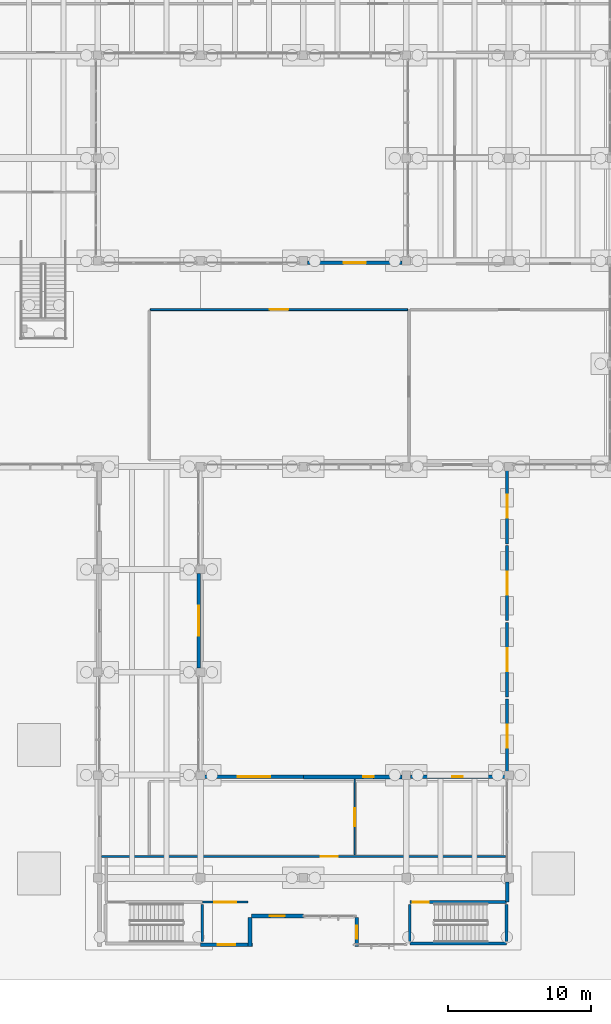
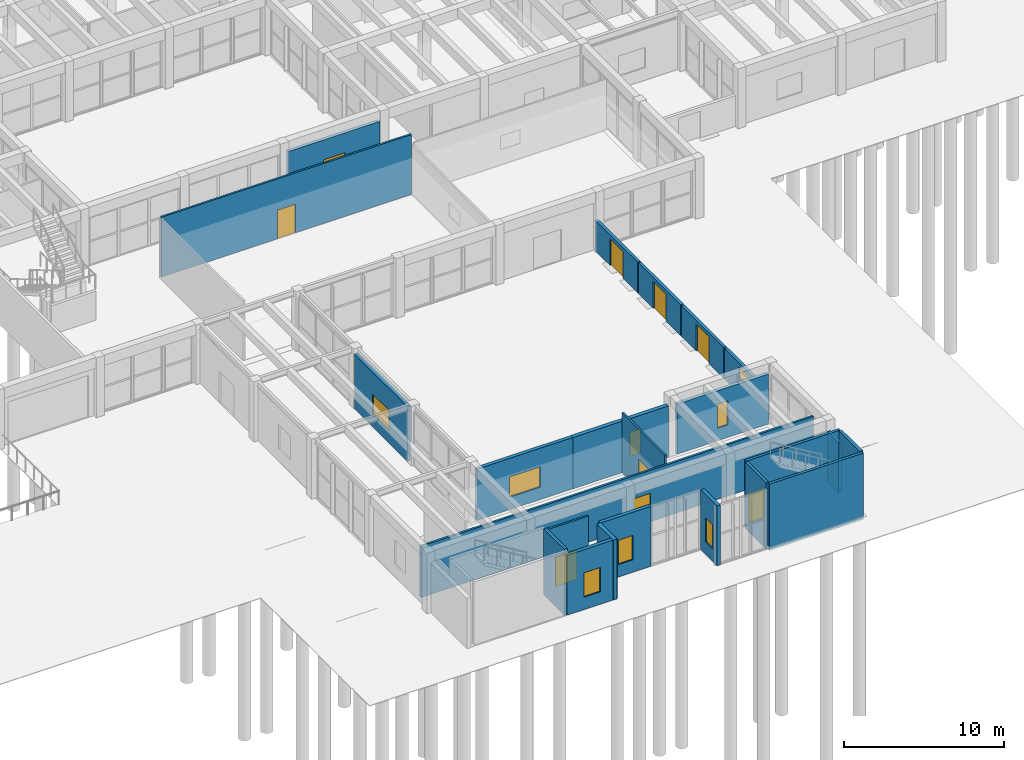
# One storey, part 119 of 155: 23 walls, 10 doors, 7 windows, 17 openings.
"""IFC4 building model written with IfcOpenShell, lengths in metres."""

from ifc_helpers import new_model, si_unit, direction, frame, frame_2d, origin, place, context, subcontext, project, spatial, rectangle, extrude, material, layer, layer_set, type_object, element, fill, save


model = new_model("IFC4")

# Units and contexts
model_context = context("Model", 3, precision=1e-05, world=origin(), true_north=direction((0.0, 1.0)))
body_context = subcontext(model_context, "Body", "Model", "MODEL_VIEW")
ifc_project = project(units=[si_unit("LENGTHUNIT", "METRE"), si_unit("AREAUNIT", "SQUARE_METRE"), si_unit("VOLUMEUNIT", "CUBIC_METRE"), si_unit("PLANEANGLEUNIT", "RADIAN"), si_unit("MASSUNIT", "GRAM", prefix="KILO")], contexts=[model_context])

# Site, building, storey
site_placement = place(None, origin())
site = spatial("IfcSite", under=ifc_project, at=site_placement, CompositionType="ELEMENT")
building_placement = place(site_placement, origin())
building = spatial("IfcBuilding", under=site, at=building_placement, Name="Bramvelor Terrace Health Centre", CompositionType="ELEMENT")
storey_placement = place(building_placement, origin())
storey = spatial("IfcBuildingStorey", under=building, at=storey_placement, Name="L01", CompositionType="ELEMENT", Elevation=0.0)

# Wall, opening, door
ifc_material_1 = material(Name="Acoustic clinical partition board", Category="gypsum")
ifc_layer_1 = layer(ifc_material_1, 0.1298828125)
ifc_layer_set_1 = layer_set([ifc_layer_1], Name="Acoustic clinical partition board")
wall_type_1 = type_object("IfcWallType", Name="WL-CLN-130", PredefinedType="PARTITIONING", material=ifc_layer_set_1)
wall_1_placement = place(storey_placement, frame((75.60009765625, 14.1201171875, 0.0), z_axis=(0.0, 0.0, 1.0), x_axis=(0.0, -1.0, 0.0)))
wall_1 = element("IfcWall", 1, at=wall_1_placement, inside=storey, type_object=wall_type_1, Name="L01 Interior Partition 103", PredefinedType="PARTITIONING", context=body_context, shape_type="SweptSolid", body=[
    extrude(rectangle(XDim=5.325927734375, YDim=0.1298828125, at=frame_2d((2.6630859375, 0.0))), origin(), (0.0, 0.0, 1.0), 4.570068359375),
])
opening_1_placement = place(wall_1_placement, frame((2.03271484375, 0.0, 0.0)))
opening_1 = element("IfcOpeningElement", 2, at=opening_1_placement, cuts=wall_1, Name="Opening ID-C03", PredefinedType="OPENING", context=body_context, shape_type="SweptSolid", body=[
    extrude(rectangle(XDim=1.260009765625, YDim=2.280029296875, at=frame_2d((0.6298828125, 1.14013671875))), frame((0.0, 0.074951171875, 0.0), z_axis=(0.0, -1.0, 0.0), x_axis=(1.0, 0.0, 0.0)), (0.0, 0.0, 1.0), 0.14990234375),
])
ifc_material_2 = material(Name="Solid-core acoustic timber laminate", Category="wood")
door_type_1 = type_object("IfcDoorType", Name="DR-CLN-03", OperationType="NOTDEFINED", PredefinedType="DOOR", material=ifc_material_2)
door_1_placement = place(opening_1_placement, origin())
door_1 = element("IfcDoor", 3, at=door_1_placement, inside=storey, type_object=door_type_1, Name="L01 Hydrotherapy Assessment and Gait Lab Clinical Door", OperationType="SINGLE_SWING_RIGHT", OverallHeight=2.280029296875, OverallWidth=1.260009765625, PredefinedType="DOOR", context=body_context, shape_type="SweptSolid", body=[
    extrude(rectangle(XDim=1.260009765625, YDim=2.280029296875, at=frame_2d((0.6298828125, 1.14013671875))), frame((0.0, 0.02490234375, 0.0), z_axis=(0.0, -1.0, 0.0), x_axis=(1.0, 0.0, 0.0)), (0.0, 0.0, 1.0), 0.050048828125),
])
fill(opening_1, door_1)

ifc_material_3 = material(Name="Fire-rated gypsum and mineral wool", Category="gypsum")
ifc_layer_2 = layer(ifc_material_3, 0.139892578125)
ifc_layer_set_2 = layer_set([ifc_layer_2], Name="Fire-rated gypsum and mineral wool")
wall_type_2 = type_object("IfcWallType", Name="WL-COR-140", PredefinedType="PARTITIONING", material=ifc_layer_set_2)
wall_2_placement = place(storey_placement, frame((61.2919921875, 46.989990234375, 0.0), z_axis=(0.0, 0.0, 1.0), x_axis=(1.0, 0.0, 0.0)))
wall_2 = element("IfcWall", 4, at=wall_2_placement, inside=storey, type_object=wall_type_2, Name="L01 Interior Partition 79", PredefinedType="PARTITIONING", context=body_context, shape_type="SweptSolid", body=[
    extrude(rectangle(XDim=18.008056640625, YDim=0.139892578125, at=frame_2d((9.00390625, 0.0))), origin(), (0.0, 0.0, 1.0), 4.570068359375),
])
opening_2_placement = place(wall_2_placement, frame((8.364013671875, 0.0, 0.0)))
opening_2 = element("IfcOpeningElement", 5, at=opening_2_placement, cuts=wall_2, Name="Opening FD-01", PredefinedType="OPENING", context=body_context, shape_type="SweptSolid", body=[
    extrude(rectangle(XDim=1.280029296875, YDim=2.179931640625, at=frame_2d((0.64013671875, 1.08984375))), frame((0.0, 0.079833984375, 0.0), z_axis=(0.0, -1.0, 0.0), x_axis=(1.0, 0.0, 0.0)), (0.0, 0.0, 1.0), 0.159912109375),
])
ifc_material_4 = material(Name="Fire-rated steel and vision panel", Category="steel")
door_type_2 = type_object("IfcDoorType", Name="DR-FD90-128", OperationType="NOTDEFINED", PredefinedType="DOOR", material=ifc_material_4)
door_2_placement = place(opening_2_placement, origin())
door_2 = element("IfcDoor", 6, at=door_2_placement, inside=storey, type_object=door_type_2, Name="L01 Main Public Waiting and Reception Hall Fire Door", OperationType="SINGLE_SWING_RIGHT", OverallHeight=2.179931640625, OverallWidth=1.280029296875, PredefinedType="DOOR", context=body_context, shape_type="SweptSolid", body=[
    extrude(rectangle(XDim=1.280029296875, YDim=2.179931640625, at=frame_2d((0.64013671875, 1.08984375))), frame((0.0, 0.02490234375, 0.0), z_axis=(0.0, -1.0, 0.0), x_axis=(1.0, 0.0, 0.0)), (0.0, 0.0, 1.0), 0.050048828125),
])
fill(opening_2, door_2)

# Walls
ifc_material_5 = material(Name="Concrete C40/50", Category="concrete")
ifc_layer_3 = layer(ifc_material_5, 0.199951171875)
ifc_layer_set_3 = layer_set([ifc_layer_3], Name="Concrete C40/50")
wall_type_3 = type_object("IfcWallType", Name="WL-CORE-200", PredefinedType="SHEAR", material=ifc_layer_set_3)
wall_3_placement = place(storey_placement, frame((64.925048828125, 2.75, -0.25), z_axis=(0.0, 0.0, 1.0), x_axis=(0.0, 1.0, 0.0)))
element("IfcWall", 7, at=wall_3_placement, inside=storey, type_object=wall_type_3, Name="ST-9 L01 Stair Shaft Wall", PredefinedType="SHEAR", context=body_context, shape_type="SweptSolid", body=[
    extrude(rectangle(XDim=2.60009765625, YDim=0.199951171875, at=frame_2d((1.300048828125, 0.0))), origin(), (0.0, 0.0, 1.0), 5.050048828125),
])
wall_4_placement = place(storey_placement, frame((79.449951171875, 2.60009765625, -0.25), z_axis=(0.0, 0.0, 1.0), x_axis=(1.0, 0.0, 0.0)))
element("IfcWall", 8, at=wall_4_placement, inside=storey, type_object=wall_type_3, Name="ST-10 L01 Stair Shaft Wall", PredefinedType="SHEAR", context=body_context, shape_type="SweptSolid", body=[
    extrude(rectangle(XDim=6.775146484375, YDim=0.199951171875, at=frame_2d((3.3876953125, 0.0))), origin(), (0.0, 0.0, 1.0), 5.050048828125),
])

# Wall, opening, door
wall_5_placement = place(storey_placement, frame((79.449951171875, 5.5, -0.25), z_axis=(0.0, 0.0, 1.0), x_axis=(1.0, 0.0, 0.0)))
wall_5 = element("IfcWall", 9, at=wall_5_placement, inside=storey, type_object=wall_type_3, Name="ST-10 L01 Stair Shaft Wall", PredefinedType="SHEAR", context=body_context, shape_type="SweptSolid", body=[
    extrude(rectangle(XDim=6.775146484375, YDim=0.199951171875, at=frame_2d((3.3876953125, 0.0))), origin(), (0.0, 0.0, 1.0), 5.050048828125),
])
opening_3_placement = place(wall_5_placement, frame((0.219970703125, 0.0, 0.25)))
opening_3 = element("IfcOpeningElement", 10, at=opening_3_placement, cuts=wall_5, Name="Opening FD-06", PredefinedType="OPENING", context=body_context, shape_type="SweptSolid", body=[
    extrude(rectangle(XDim=1.1201171875, YDim=2.139892578125, at=frame_2d((0.56005859375, 1.06982421875))), frame((0.0, 0.10986328125, 0.0), z_axis=(0.0, -1.0, 0.0), x_axis=(1.0, 0.0, 0.0)), (0.0, 0.0, 1.0), 0.219970703125),
])
ifc_material_6 = material(Name="Fire-rated steel and vision panel", Category="steel")
door_type_3 = type_object("IfcDoorType", Name="DR-FD60-112", OperationType="NOTDEFINED", PredefinedType="DOOR", material=ifc_material_6)
door_3_placement = place(opening_3_placement, origin())
door_3 = element("IfcDoor", 11, at=door_3_placement, inside=storey, type_object=door_type_3, Name="ST-10 L01 Exit Stair Fire Door", OperationType="SINGLE_SWING_RIGHT", OverallHeight=2.139892578125, OverallWidth=1.1201171875, PredefinedType="DOOR", context=body_context, shape_type="SweptSolid", body=[
    extrude(rectangle(XDim=1.1201171875, YDim=2.139892578125, at=frame_2d((0.56005859375, 1.06982421875))), frame((0.0, 0.02490234375, 0.0), z_axis=(0.0, -1.0, 0.0), x_axis=(1.0, 0.0, 0.0)), (0.0, 0.0, 1.0), 0.050048828125),
])
fill(opening_3, door_3)

# Walls
for number, where, z_axis, x_axis, name in (
    (12, (79.449951171875, 2.75, -0.25), (0.0, 0.0, 1.0), (0.0, 1.0, 0.0), "ST-10 L01 Stair Shaft Wall"),
    (13, (86.22509765625, 2.75, -0.25), (0.0, 0.0, 1.0), (0.0, 1.0, 0.0), "ST-10 L01 Stair Shaft Wall"),
):
    element("IfcWall", number, at=place(storey_placement, frame(where, z_axis=z_axis, x_axis=x_axis)), inside=storey, type_object=wall_type_3, Name=name, PredefinedType="SHEAR", context=body_context, shape_type="SweptSolid", body=[
        extrude(rectangle(XDim=2.60009765625, YDim=0.199951171875, at=frame_2d((1.300048828125, 0.0))), origin(), (0.0, 0.0, 1.0), 5.050048828125),
    ])

# Wall, opening, window
ifc_material_7 = material(Name="Precast concrete C40/50", Category="concrete")
ifc_layer_4 = layer(ifc_material_7, 0.25)
ifc_layer_set_4 = layer_set([ifc_layer_4], Name="Precast concrete C40/50")
wall_type_4 = type_object("IfcWallType", Name="WL-EXT-RC250", PredefinedType="SOLIDWALL", material=ifc_layer_set_4)
wall_6_placement = place(storey_placement, frame((64.669921875, 28.5048828125, 0.0), z_axis=(0.0, 0.0, 1.0), x_axis=(0.0, -1.0, 0.0)))
wall_6 = element("IfcWall", 14, at=wall_6_placement, inside=storey, type_object=wall_type_4, Name="L01 Exterior Facade Wall 111", PredefinedType="SOLIDWALL", context=body_context, shape_type="SweptSolid", body=[
    extrude(rectangle(XDim=6.60986328125, YDim=0.25, at=frame_2d((3.304931640625, 0.0))), origin(), (0.0, 0.0, 1.0), 4.173583984375),
])
opening_4_placement = place(wall_6_placement, frame((2.2548828125, 0.0, 0.949951171875)))
opening_4 = element("IfcOpeningElement", 15, at=opening_4_placement, cuts=wall_6, Name="Opening WN-46", PredefinedType="OPENING", context=body_context, shape_type="SweptSolid", body=[
    extrude(rectangle(XDim=2.10009765625, YDim=1.550048828125, at=frame_2d((1.050048828125, 0.77490234375))), frame((0.0, 0.135009765625, 0.0), z_axis=(0.0, -1.0, 0.0), x_axis=(1.0, 0.0, 0.0)), (0.0, 0.0, 1.0), 0.27001953125),
])
ifc_material_8 = material(Name="Double low-E laminated glass", Category="glass")
window_type_1 = type_object("IfcWindowType", Name="WIN-EXT-46", PartitioningType="SINGLE_PANEL", PredefinedType="WINDOW", material=ifc_material_8)
window_1_placement = place(opening_4_placement, origin())
window_1 = element("IfcWindow", 16, at=window_1_placement, inside=storey, type_object=window_type_1, Name="L01 Scheduled Clinical Window 46", OverallHeight=1.550048828125, OverallWidth=2.10009765625, PartitioningType="SINGLE_PANEL", PredefinedType="WINDOW", context=body_context, shape_type="SweptSolid", body=[
    extrude(rectangle(XDim=2.10009765625, YDim=1.550048828125, at=frame_2d((1.050048828125, 0.77490234375))), frame((0.0, 0.030029296875, 0.0), z_axis=(0.0, -1.0, 0.0), x_axis=(1.0, 0.0, 0.0)), (0.0, 0.0, 1.0), 0.06005859375),
])
fill(opening_4, window_1)

wall_7_placement = place(storey_placement, frame((65.094970703125, 14.27001953125, 0.0), z_axis=(0.0, 0.0, 1.0), x_axis=(1.0, 0.0, 0.0)))
wall_7 = element("IfcWall", 17, at=wall_7_placement, inside=storey, type_object=wall_type_4, Name="L01 Exterior Facade Wall 113", PredefinedType="SOLIDWALL", context=body_context, shape_type="SweptSolid", body=[
    extrude(rectangle(XDim=6.905029296875, YDim=0.25, at=frame_2d((3.45263671875, 0.0))), origin(), (0.0, 0.0, 1.0), 3.9150390625),
])
opening_5_placement = place(wall_7_placement, frame((2.327392578125, 0.0, 0.949951171875)))
opening_5 = element("IfcOpeningElement", 18, at=opening_5_placement, cuts=wall_7, Name="Opening WN-47", PredefinedType="OPENING", context=body_context, shape_type="SweptSolid", body=[
    extrude(rectangle(XDim=2.25, YDim=1.550048828125, at=frame_2d((1.125, 0.77490234375))), frame((0.0, 0.135009765625, 0.0), z_axis=(0.0, -1.0, 0.0), x_axis=(1.0, 0.0, 0.0)), (0.0, 0.0, 1.0), 0.27001953125),
])
ifc_material_9 = material(Name="Double low-E laminated glass", Category="glass")
window_type_2 = type_object("IfcWindowType", Name="WIN-EXT-47", PartitioningType="SINGLE_PANEL", PredefinedType="WINDOW", material=ifc_material_9)
window_2_placement = place(opening_5_placement, origin())
window_2 = element("IfcWindow", 19, at=window_2_placement, inside=storey, type_object=window_type_2, Name="L01 Scheduled Clinical Window 47", OverallHeight=1.550048828125, OverallWidth=2.25, PartitioningType="SINGLE_PANEL", PredefinedType="WINDOW", context=body_context, shape_type="SweptSolid", body=[
    extrude(rectangle(XDim=2.25, YDim=1.550048828125, at=frame_2d((1.125, 0.77490234375))), frame((0.0, 0.030029296875, 0.0), z_axis=(0.0, -1.0, 0.0), x_axis=(1.0, 0.0, 0.0)), (0.0, 0.0, 1.0), 0.06005859375),
])
fill(opening_5, window_2)

wall_8_placement = place(storey_placement, frame((79.4951171875, 14.27001953125, 0.0), z_axis=(0.0, 0.0, 1.0), x_axis=(1.0, 0.0, 0.0)))
wall_8 = element("IfcWall", 20, at=wall_8_placement, inside=storey, type_object=wall_type_4, Name="L01 Exterior Facade Wall 115", PredefinedType="SOLIDWALL", context=body_context, shape_type="SweptSolid", body=[
    extrude(rectangle(XDim=6.60986328125, YDim=0.25, at=frame_2d((3.304931640625, 0.0))), origin(), (0.0, 0.0, 1.0), 3.81494140625),
])
opening_6_placement = place(wall_8_placement, frame((2.929931640625, 0.0, 0.949951171875)))
opening_6 = element("IfcOpeningElement", 21, at=opening_6_placement, cuts=wall_8, Name="Opening WN-49", PredefinedType="OPENING", context=body_context, shape_type="SweptSolid", body=[
    extrude(rectangle(XDim=0.75, YDim=1.85009765625, at=frame_2d((0.375, 0.925048828125))), frame((0.0, 0.135009765625, 0.0), z_axis=(0.0, -1.0, 0.0), x_axis=(1.0, 0.0, 0.0)), (0.0, 0.0, 1.0), 0.27001953125),
])
ifc_material_10 = material(Name="Double low-E laminated glass", Category="glass")
window_type_3 = type_object("IfcWindowType", Name="WIN-EXT-49", PartitioningType="SINGLE_PANEL", PredefinedType="WINDOW", material=ifc_material_10)
window_3_placement = place(opening_6_placement, origin())
window_3 = element("IfcWindow", 22, at=window_3_placement, inside=storey, type_object=window_type_3, Name="L01 Scheduled Clinical Window 49", OverallHeight=1.85009765625, OverallWidth=0.75, PartitioningType="SINGLE_PANEL", PredefinedType="WINDOW", context=body_context, shape_type="SweptSolid", body=[
    extrude(rectangle(XDim=0.75, YDim=1.85009765625, at=frame_2d((0.375, 0.925048828125))), frame((0.0, 0.030029296875, 0.0), z_axis=(0.0, -1.0, 0.0), x_axis=(1.0, 0.0, 0.0)), (0.0, 0.0, 1.0), 0.06005859375),
])
fill(opening_6, window_3)

# Wall
wall_9_placement = place(storey_placement, frame((86.27001953125, 6.905029296875, 0.0), z_axis=(0.0, 0.0, 1.0), x_axis=(0.0, -1.0, 0.0)))
element("IfcWall", 23, at=wall_9_placement, inside=storey, type_object=wall_type_4, Name="L01 Exterior Facade Wall 117", PredefinedType="SOLIDWALL", context=body_context, shape_type="SweptSolid", body=[
    extrude(rectangle(XDim=1.405029296875, YDim=0.25, at=frame_2d((0.70263671875, 0.0))), origin(), (0.0, 0.0, 1.0), 3.81494140625),
])

# Wall, opening, window
wall_10_placement = place(storey_placement, frame((75.72998046875, 2.3798828125, 0.0), z_axis=(0.0, 0.0, 1.0), x_axis=(0.0, 1.0, 0.0)))
wall_10 = element("IfcWall", 24, at=wall_10_placement, inside=storey, type_object=wall_type_4, Name="L01 Exterior Facade Wall 119", PredefinedType="SOLIDWALL", context=body_context, shape_type="SweptSolid", body=[
    extrude(rectangle(XDim=2.0400390625, YDim=0.25, at=frame_2d((1.02001953125, 0.0))), origin(), (0.0, 0.0, 1.0), 4.570068359375),
])
opening_7_placement = place(wall_10_placement, frame((0.570068359375, 0.0, 0.949951171875)))
opening_7 = element("IfcOpeningElement", 25, at=opening_7_placement, cuts=wall_10, Name="Opening WN-50", PredefinedType="OPENING", context=body_context, shape_type="SweptSolid", body=[
    extrude(rectangle(XDim=0.89990234375, YDim=1.85009765625, at=frame_2d((0.449951171875, 0.925048828125))), frame((0.0, 0.135009765625, 0.0), z_axis=(0.0, -1.0, 0.0), x_axis=(1.0, 0.0, 0.0)), (0.0, 0.0, 1.0), 0.27001953125),
])
ifc_material_11 = material(Name="Double low-E laminated glass", Category="glass")
window_type_4 = type_object("IfcWindowType", Name="WIN-EXT-50", PartitioningType="SINGLE_PANEL", PredefinedType="WINDOW", material=ifc_material_11)
window_4_placement = place(opening_7_placement, origin())
window_4 = element("IfcWindow", 26, at=window_4_placement, inside=storey, type_object=window_type_4, Name="L01 Scheduled Clinical Window 50", OverallHeight=1.85009765625, OverallWidth=0.89990234375, PartitioningType="SINGLE_PANEL", PredefinedType="WINDOW", context=body_context, shape_type="SweptSolid", body=[
    extrude(rectangle(XDim=0.89990234375, YDim=1.85009765625, at=frame_2d((0.449951171875, 0.925048828125))), frame((0.0, 0.030029296875, 0.0), z_axis=(0.0, -1.0, 0.0), x_axis=(1.0, 0.0, 0.0)), (0.0, 0.0, 1.0), 0.06005859375),
])
fill(opening_7, window_4)

wall_11_placement = place(storey_placement, frame((72.0, 4.530029296875, 0.0), z_axis=(0.0, 0.0, 1.0), x_axis=(-1.0, 0.0, 0.0)))
wall_11 = element("IfcWall", 27, at=wall_11_placement, inside=storey, type_object=wall_type_4, Name="L01 Exterior Facade Wall 121", PredefinedType="SOLIDWALL", context=body_context, shape_type="SweptSolid", body=[
    extrude(rectangle(XDim=3.639892578125, YDim=0.25, at=frame_2d((1.81982421875, 0.0))), origin(), (0.0, 0.0, 1.0), 4.570068359375),
])
opening_8_placement = place(wall_11_placement, frame((1.294921875, 0.0, 0.949951171875)))
opening_8 = element("IfcOpeningElement", 28, at=opening_8_placement, cuts=wall_11, Name="Opening WN-51", PredefinedType="OPENING", context=body_context, shape_type="SweptSolid", body=[
    extrude(rectangle(XDim=1.050048828125, YDim=1.85009765625, at=frame_2d((0.52490234375, 0.925048828125))), frame((0.0, 0.135009765625, 0.0), z_axis=(0.0, -1.0, 0.0), x_axis=(1.0, 0.0, 0.0)), (0.0, 0.0, 1.0), 0.27001953125),
])
ifc_material_12 = material(Name="Double low-E laminated glass", Category="glass")
window_type_5 = type_object("IfcWindowType", Name="WIN-EXT-51", PartitioningType="SINGLE_PANEL", PredefinedType="WINDOW", material=ifc_material_12)
window_5_placement = place(opening_8_placement, origin())
window_5 = element("IfcWindow", 29, at=window_5_placement, inside=storey, type_object=window_type_5, Name="L01 Scheduled Clinical Window 51", OverallHeight=1.85009765625, OverallWidth=1.050048828125, PartitioningType="SINGLE_PANEL", PredefinedType="WINDOW", context=body_context, shape_type="SweptSolid", body=[
    extrude(rectangle(XDim=1.050048828125, YDim=1.85009765625, at=frame_2d((0.52490234375, 0.925048828125))), frame((0.0, 0.030029296875, 0.0), z_axis=(0.0, -1.0, 0.0), x_axis=(1.0, 0.0, 0.0)), (0.0, 0.0, 1.0), 0.06005859375),
])
fill(opening_8, window_5)

wall_12_placement = place(storey_placement, frame((68.43994140625, 2.530029296875, 0.0), z_axis=(0.0, 0.0, 1.0), x_axis=(-1.0, 0.0, 0.0)))
wall_12 = element("IfcWall", 30, at=wall_12_placement, inside=storey, type_object=wall_type_4, Name="L01 Exterior Facade Wall 123", PredefinedType="SOLIDWALL", context=body_context, shape_type="SweptSolid", body=[
    extrude(rectangle(XDim=3.639892578125, YDim=0.25, at=frame_2d((1.81982421875, 0.0))), origin(), (0.0, 0.0, 1.0), 4.570068359375),
])
opening_9_placement = place(wall_12_placement, frame((1.219970703125, 0.0, 0.949951171875)))
opening_9 = element("IfcOpeningElement", 31, at=opening_9_placement, cuts=wall_12, Name="Opening WN-52", PredefinedType="OPENING", context=body_context, shape_type="SweptSolid", body=[
    extrude(rectangle(XDim=1.199951171875, YDim=1.85009765625, at=frame_2d((0.60009765625, 0.925048828125))), frame((0.0, 0.135009765625, 0.0), z_axis=(0.0, -1.0, 0.0), x_axis=(1.0, 0.0, 0.0)), (0.0, 0.0, 1.0), 0.27001953125),
])
ifc_material_13 = material(Name="Double low-E laminated glass", Category="glass")
window_type_6 = type_object("IfcWindowType", Name="WIN-EXT-52", PartitioningType="SINGLE_PANEL", PredefinedType="WINDOW", material=ifc_material_13)
window_6_placement = place(opening_9_placement, origin())
window_6 = element("IfcWindow", 32, at=window_6_placement, inside=storey, type_object=window_type_6, Name="L01 Scheduled Clinical Window 52", OverallHeight=1.85009765625, OverallWidth=1.199951171875, PartitioningType="SINGLE_PANEL", PredefinedType="WINDOW", context=body_context, shape_type="SweptSolid", body=[
    extrude(rectangle(XDim=1.199951171875, YDim=1.85009765625, at=frame_2d((0.60009765625, 0.925048828125))), frame((0.0, 0.030029296875, 0.0), z_axis=(0.0, -1.0, 0.0), x_axis=(1.0, 0.0, 0.0)), (0.0, 0.0, 1.0), 0.06005859375),
])
fill(opening_9, window_6)

# Wall, opening, door
wall_13_placement = place(storey_placement, frame((72.294921875, 50.27001953125, 0.0), z_axis=(0.0, 0.0, 1.0), x_axis=(1.0, 0.0, 0.0)))
wall_13 = element("IfcWall", 33, at=wall_13_placement, inside=storey, type_object=wall_type_4, Name="L01 Exterior Facade Wall 135", PredefinedType="SOLIDWALL", context=body_context, shape_type="SweptSolid", body=[
    extrude(rectangle(XDim=6.610107421875, YDim=0.25, at=frame_2d((3.30517578125, 0.0))), origin(), (0.0, 0.0, 1.0), 3.760009765625),
])
opening_10_placement = place(wall_13_placement, frame((2.530029296875, 0.0, 0.0)))
opening_10 = element("IfcOpeningElement", 34, at=opening_10_placement, cuts=wall_13, Name="Opening ED-05", PredefinedType="OPENING", context=body_context, shape_type="SweptSolid", body=[
    extrude(rectangle(XDim=1.550048828125, YDim=2.25, at=frame_2d((0.77490234375, 1.125))), frame((0.0, 0.135009765625, 0.0), z_axis=(0.0, -1.0, 0.0), x_axis=(1.0, 0.0, 0.0)), (0.0, 0.0, 1.0), 0.27001953125),
])
ifc_material_14 = material(Name="Powder-coated steel", Category="steel")
door_type_4 = type_object("IfcDoorType", Name="DR-EXT-EXIT-155", OperationType="DOUBLE_DOOR_SINGLE_SWING", PredefinedType="DOOR", material=ifc_material_14)
door_4_placement = place(opening_10_placement, origin())
door_4 = element("IfcDoor", 35, at=door_4_placement, inside=storey, type_object=door_type_4, Name="L01 Exterior Door 12", OperationType="DOUBLE_DOOR_SINGLE_SWING", OverallHeight=2.25, OverallWidth=1.550048828125, PredefinedType="DOOR", context=body_context, shape_type="SweptSolid", body=[
    extrude(rectangle(XDim=1.550048828125, YDim=2.25, at=frame_2d((0.77490234375, 1.125))), frame((0.0, 0.02490234375, 0.0), z_axis=(0.0, -1.0, 0.0), x_axis=(1.0, 0.0, 0.0)), (0.0, 0.0, 1.0), 0.050048828125),
])
fill(opening_10, door_4)

# Wall, opening, window
ifc_material_15 = material(Name="Precast concrete C40/50", Category="concrete")
ifc_layer_5 = layer(ifc_material_15, 0.280029296875)
ifc_layer_set_5 = layer_set([ifc_layer_5], Name="Precast concrete C40/50")
wall_type_5 = type_object("IfcWallType", Name="WL-EXT-RC280", PredefinedType="SOLIDWALL", material=ifc_layer_set_5)
wall_14_placement = place(storey_placement, frame((72.0, 14.27001953125, 0.0), z_axis=(0.0, 0.0, 1.0), x_axis=(1.0, 0.0, 0.0)))
wall_14 = element("IfcWall", 36, at=wall_14_placement, inside=storey, type_object=wall_type_5, Name="L01 Exterior Facade Wall 114", PredefinedType="SOLIDWALL", context=body_context, shape_type="SweptSolid", body=[
    extrude(rectangle(XDim=6.905029296875, YDim=0.280029296875, at=frame_2d((3.45263671875, 0.0))), origin(), (0.0, 0.0, 1.0), 3.9150390625),
])
opening_11_placement = place(wall_14_placement, frame((4.177490234375, 0.0, 0.949951171875)))
opening_11 = element("IfcOpeningElement", 37, at=opening_11_placement, cuts=wall_14, Name="Opening WN-49", PredefinedType="OPENING", context=body_context, shape_type="SweptSolid", body=[
    extrude(rectangle(XDim=0.75, YDim=1.85009765625, at=frame_2d((0.375, 0.925048828125))), frame((0.0, 0.14990234375, 0.0), z_axis=(0.0, -1.0, 0.0), x_axis=(1.0, 0.0, 0.0)), (0.0, 0.0, 1.0), 0.300048828125),
])
window_7_placement = place(opening_11_placement, origin())
window_7 = element("IfcWindow", 38, at=window_7_placement, inside=storey, type_object=window_type_3, Name="L01 Scheduled Clinical Window 48", OverallHeight=1.85009765625, OverallWidth=0.75, PartitioningType="SINGLE_PANEL", PredefinedType="WINDOW", context=body_context, shape_type="SweptSolid", body=[
    extrude(rectangle(XDim=0.75, YDim=1.85009765625, at=frame_2d((0.375, 0.925048828125))), frame((0.0, 0.030029296875, 0.0), z_axis=(0.0, -1.0, 0.0), x_axis=(1.0, 0.0, 0.0)), (0.0, 0.0, 1.0), 0.06005859375),
])
fill(opening_11, window_7)

# Wall
wall_15_placement = place(storey_placement, frame((68.27001953125, 4.44091796875, 0.0), z_axis=(0.0, 0.0, 1.0), x_axis=(0.0, -1.0, 0.0)))
element("IfcWall", 39, at=wall_15_placement, inside=storey, type_object=wall_type_5, Name="L01 Exterior Facade Wall 122", PredefinedType="SOLIDWALL", context=body_context, shape_type="SweptSolid", body=[
    extrude(rectangle(XDim=2.06103515625, YDim=0.280029296875, at=frame_2d((1.030517578125, 0.0))), origin(), (0.0, 0.0, 1.0), 4.570068359375),
])

# Wall, opening, door
ifc_material_16 = material(Name="Fire-rated gypsum and mineral wool", Category="gypsum")
ifc_layer_6 = layer(ifc_material_16, 0.14990234375)
ifc_layer_set_6 = layer_set([ifc_layer_6], Name="Fire-rated gypsum and mineral wool")
wall_type_6 = type_object("IfcWallType", Name="WL-FIR-150", PredefinedType="PARTITIONING", material=ifc_layer_set_6)
wall_16_placement = place(storey_placement, frame((57.864990234375, 8.697998046875, 0.0), z_axis=(0.0, 0.0, 1.0), x_axis=(0.999999997619, 6.9002993e-05, 0.0)))
wall_16 = element("IfcWall", 40, at=wall_16_placement, inside=storey, type_object=wall_type_6, Name="L01 Interior Partition 60", PredefinedType="PARTITIONING", context=body_context, shape_type="SweptSolid", body=[
    extrude(rectangle(XDim=28.304931640625, YDim=0.14990234375, at=frame_2d((14.15234375, 0.0))), origin(), (0.0, 0.0, 1.0), 3.9150390625),
])
opening_12_placement = place(wall_16_placement, frame((15.362548828125, 0.0, 0.0)))
opening_12 = element("IfcOpeningElement", 41, at=opening_12_placement, cuts=wall_16, Name="Opening FD-02", PredefinedType="OPENING", context=body_context, shape_type="SweptSolid", body=[
    extrude(rectangle(XDim=1.179931640625, YDim=2.159912109375, at=frame_2d((0.58984375, 1.080078125))), frame((0.0, 0.0849609375, 0.0), z_axis=(0.0, -1.0, 0.0), x_axis=(1.0, 0.0, 0.0)), (0.0, 0.0, 1.0), 0.169921875),
])
ifc_material_17 = material(Name="Fire-rated steel and vision panel", Category="steel")
door_type_5 = type_object("IfcDoorType", Name="DR-FD90-118", OperationType="NOTDEFINED", PredefinedType="DOOR", material=ifc_material_17)
door_5_placement = place(opening_12_placement, origin())
door_5 = element("IfcDoor", 42, at=door_5_placement, inside=storey, type_object=door_type_5, Name="L01 Neurological and Orthopaedic Rehab Gym Fire Door", OperationType="SINGLE_SWING_LEFT", OverallHeight=2.159912109375, OverallWidth=1.179931640625, PredefinedType="DOOR", context=body_context, shape_type="SweptSolid", body=[
    extrude(rectangle(XDim=1.179931640625, YDim=2.159912109375, at=frame_2d((0.58984375, 1.080078125))), frame((0.0, 0.02490234375, 0.0), z_axis=(0.0, -1.0, 0.0), x_axis=(1.0, 0.0, 0.0)), (0.0, 0.0, 1.0), 0.050048828125),
])
fill(opening_12, door_5)

wall_17_placement = place(storey_placement, frame((64.949951171875, 5.501708984375, 0.0), z_axis=(0.0, 0.0, 1.0), x_axis=(0.999999988063, -0.000154511741, 0.0)))
wall_17 = element("IfcWall", 43, at=wall_17_placement, inside=storey, type_object=wall_type_6, Name="L01 Interior Partition 105", PredefinedType="PARTITIONING", context=body_context, shape_type="SweptSolid", body=[
    extrude(rectangle(XDim=3.16015625, YDim=0.14990234375, at=frame_2d((1.580078125, 0.0))), origin(), (0.0, 0.0, 1.0), 4.570068359375),
])
opening_13_placement = place(wall_17_placement, frame((0.800048828125, 0.0, 0.0)))
opening_13 = element("IfcOpeningElement", 44, at=opening_13_placement, cuts=wall_17, Name="Opening FD-03", PredefinedType="OPENING", context=body_context, shape_type="SweptSolid", body=[
    extrude(rectangle(XDim=1.56005859375, YDim=2.219970703125, at=frame_2d((0.780029296875, 1.10986328125))), frame((0.0, 0.0849609375, 0.0), z_axis=(0.0, -1.0, 0.0), x_axis=(1.0, 0.0, 0.0)), (0.0, 0.0, 1.0), 0.169921875),
])
ifc_material_18 = material(Name="Fire-rated steel and vision panel", Category="steel")
door_type_6 = type_object("IfcDoorType", Name="DR-FD90-156", OperationType="DOUBLE_DOOR_SINGLE_SWING", PredefinedType="DOOR", material=ifc_material_18)
door_6_placement = place(opening_13_placement, origin())
door_6 = element("IfcDoor", 45, at=door_6_placement, inside=storey, type_object=door_type_6, Name="L01 Prosthetics and Orthotics Clinic Fire Door", OperationType="DOUBLE_DOOR_SINGLE_SWING", OverallHeight=2.219970703125, OverallWidth=1.56005859375, PredefinedType="DOOR", context=body_context, shape_type="SweptSolid", body=[
    extrude(rectangle(XDim=1.56005859375, YDim=2.219970703125, at=frame_2d((0.780029296875, 1.10986328125))), frame((0.0, 0.02490234375, 0.0), z_axis=(0.0, -1.0, 0.0), x_axis=(1.0, 0.0, 0.0)), (0.0, 0.0, 1.0), 0.050048828125),
])
fill(opening_13, door_6)

ifc_material_19 = material(Name="Precast concrete C40/50", Category="concrete")
ifc_layer_7 = layer(ifc_material_19, 0.2099609375)
ifc_layer_set_7 = layer_set([ifc_layer_7], Name="Precast concrete C40/50")
wall_type_7 = type_object("IfcWallType", Name="WL-YARD-210", PredefinedType="SOLIDWALL", material=ifc_layer_set_7)
wall_18_placement = place(storey_placement, frame((86.27001953125, 14.5, 0.0), z_axis=(0.0, 0.0, 1.0), x_axis=(0.0, 1.0, 0.0)))
wall_18 = element("IfcWall", 46, at=wall_18_placement, inside=storey, type_object=wall_type_7, Name="Courtyard Screen Wall 1", PredefinedType="SOLIDWALL", context=body_context, shape_type="SweptSolid", body=[
    extrude(rectangle(XDim=5.239990234375, YDim=0.2099609375, at=frame_2d((2.6201171875, 0.0))), origin(), (0.0, 0.0, 1.0), 2.35009765625),
])
opening_14_placement = place(wall_18_placement, frame((1.820068359375, 0.0, 0.0)))
opening_14 = element("IfcOpeningElement", 47, at=opening_14_placement, cuts=wall_18, Name="Opening GT-01", PredefinedType="OPENING", context=body_context, shape_type="SweptSolid", body=[
    extrude(rectangle(XDim=1.60009765625, YDim=2.050048828125, at=frame_2d((0.800048828125, 1.02490234375))), frame((0.0, 0.114990234375, 0.0), z_axis=(0.0, -1.0, 0.0), x_axis=(1.0, 0.0, 0.0)), (0.0, 0.0, 1.0), 0.22998046875),
])
ifc_material_20 = material(Name="Galvanized steel S355J2", Category="steel")
door_type_7 = type_object("IfcDoorType", Name="DR-EXT-GATE-160", OperationType="NOTDEFINED", PredefinedType="GATE", material=ifc_material_20)
door_7_placement = place(opening_14_placement, origin())
door_7 = element("IfcDoor", 48, at=door_7_placement, inside=storey, type_object=door_type_7, Name="Courtyard Access Gate 1", OperationType="SINGLE_SWING_LEFT", OverallHeight=2.050048828125, OverallWidth=1.60009765625, PredefinedType="GATE", context=body_context, shape_type="SweptSolid", body=[
    extrude(rectangle(XDim=1.60009765625, YDim=2.050048828125, at=frame_2d((0.800048828125, 1.02490234375))), frame((0.0, 0.02490234375, 0.0), z_axis=(0.0, -1.0, 0.0), x_axis=(1.0, 0.0, 0.0)), (0.0, 0.0, 1.0), 0.050048828125),
])
fill(opening_14, door_7)

wall_19_placement = place(storey_placement, frame((86.27001953125, 19.860107421875, 0.0), z_axis=(0.0, 0.0, 1.0), x_axis=(0.0, 1.0, 0.0)))
wall_19 = element("IfcWall", 49, at=wall_19_placement, inside=storey, type_object=wall_type_7, Name="Courtyard Screen Wall 2", PredefinedType="SOLIDWALL", context=body_context, shape_type="SweptSolid", body=[
    extrude(rectangle(XDim=5.239990234375, YDim=0.2099609375, at=frame_2d((2.6201171875, 0.0))), origin(), (0.0, 0.0, 1.0), 2.35009765625),
])
opening_15_placement = place(wall_19_placement, frame((1.820068359375, 0.0, 0.0)))
opening_15 = element("IfcOpeningElement", 50, at=opening_15_placement, cuts=wall_19, Name="Opening GT-01", PredefinedType="OPENING", context=body_context, shape_type="SweptSolid", body=[
    extrude(rectangle(XDim=1.60009765625, YDim=2.050048828125, at=frame_2d((0.800048828125, 1.02490234375))), frame((0.0, 0.114990234375, 0.0), z_axis=(0.0, -1.0, 0.0), x_axis=(1.0, 0.0, 0.0)), (0.0, 0.0, 1.0), 0.22998046875),
])
door_8_placement = place(opening_15_placement, origin())
door_8 = element("IfcDoor", 51, at=door_8_placement, inside=storey, type_object=door_type_7, Name="Courtyard Access Gate 2", OperationType="SINGLE_SWING_RIGHT", OverallHeight=2.050048828125, OverallWidth=1.60009765625, PredefinedType="GATE", context=body_context, shape_type="SweptSolid", body=[
    extrude(rectangle(XDim=1.60009765625, YDim=2.050048828125, at=frame_2d((0.800048828125, 1.02490234375))), frame((0.0, 0.02490234375, 0.0), z_axis=(0.0, -1.0, 0.0), x_axis=(1.0, 0.0, 0.0)), (0.0, 0.0, 1.0), 0.050048828125),
])
fill(opening_15, door_8)

wall_20_placement = place(storey_placement, frame((86.27001953125, 25.219970703125, 0.0), z_axis=(0.0, 0.0, 1.0), x_axis=(0.0, 1.0, 0.0)))
wall_20 = element("IfcWall", 52, at=wall_20_placement, inside=storey, type_object=wall_type_7, Name="Courtyard Screen Wall 3", PredefinedType="SOLIDWALL", context=body_context, shape_type="SweptSolid", body=[
    extrude(rectangle(XDim=5.239990234375, YDim=0.2099609375, at=frame_2d((2.6201171875, 0.0))), origin(), (0.0, 0.0, 1.0), 2.35009765625),
])
opening_16_placement = place(wall_20_placement, frame((1.820068359375, 0.0, 0.0)))
opening_16 = element("IfcOpeningElement", 53, at=opening_16_placement, cuts=wall_20, Name="Opening GT-01", PredefinedType="OPENING", context=body_context, shape_type="SweptSolid", body=[
    extrude(rectangle(XDim=1.60009765625, YDim=2.050048828125, at=frame_2d((0.800048828125, 1.02490234375))), frame((0.0, 0.114990234375, 0.0), z_axis=(0.0, -1.0, 0.0), x_axis=(1.0, 0.0, 0.0)), (0.0, 0.0, 1.0), 0.22998046875),
])
door_9_placement = place(opening_16_placement, origin())
door_9 = element("IfcDoor", 54, at=door_9_placement, inside=storey, type_object=door_type_7, Name="Courtyard Access Gate 3", OperationType="SINGLE_SWING_LEFT", OverallHeight=2.050048828125, OverallWidth=1.60009765625, PredefinedType="GATE", context=body_context, shape_type="SweptSolid", body=[
    extrude(rectangle(XDim=1.60009765625, YDim=2.050048828125, at=frame_2d((0.800048828125, 1.02490234375))), frame((0.0, 0.02490234375, 0.0), z_axis=(0.0, -1.0, 0.0), x_axis=(1.0, 0.0, 0.0)), (0.0, 0.0, 1.0), 0.050048828125),
])
fill(opening_16, door_9)

wall_21_placement = place(storey_placement, frame((86.27001953125, 30.580078125, 0.0), z_axis=(0.0, 0.0, 1.0), x_axis=(0.0, 1.0, 0.0)))
wall_21 = element("IfcWall", 55, at=wall_21_placement, inside=storey, type_object=wall_type_7, Name="Courtyard Screen Wall 4", PredefinedType="SOLIDWALL", context=body_context, shape_type="SweptSolid", body=[
    extrude(rectangle(XDim=5.2998046875, YDim=0.2099609375, at=frame_2d((2.64990234375, 0.0))), origin(), (0.0, 0.0, 1.0), 2.35009765625),
])
opening_17_placement = place(wall_21_placement, frame((1.85009765625, 0.0, 0.0)))
opening_17 = element("IfcOpeningElement", 56, at=opening_17_placement, cuts=wall_21, Name="Opening GT-01", PredefinedType="OPENING", context=body_context, shape_type="SweptSolid", body=[
    extrude(rectangle(XDim=1.60009765625, YDim=2.050048828125, at=frame_2d((0.800048828125, 1.02490234375))), frame((0.0, 0.114990234375, 0.0), z_axis=(0.0, -1.0, 0.0), x_axis=(1.0, 0.0, 0.0)), (0.0, 0.0, 1.0), 0.22998046875),
])
door_10_placement = place(opening_17_placement, origin())
door_10 = element("IfcDoor", 57, at=door_10_placement, inside=storey, type_object=door_type_7, Name="Courtyard Access Gate 4", OperationType="SINGLE_SWING_RIGHT", OverallHeight=2.050048828125, OverallWidth=1.60009765625, PredefinedType="GATE", context=body_context, shape_type="SweptSolid", body=[
    extrude(rectangle(XDim=1.60009765625, YDim=2.050048828125, at=frame_2d((0.800048828125, 1.02490234375))), frame((0.0, 0.02490234375, 0.0), z_axis=(0.0, -1.0, 0.0), x_axis=(1.0, 0.0, 0.0)), (0.0, 0.0, 1.0), 0.050048828125),
])
fill(opening_17, door_10)

save(model, "model.ifc")
